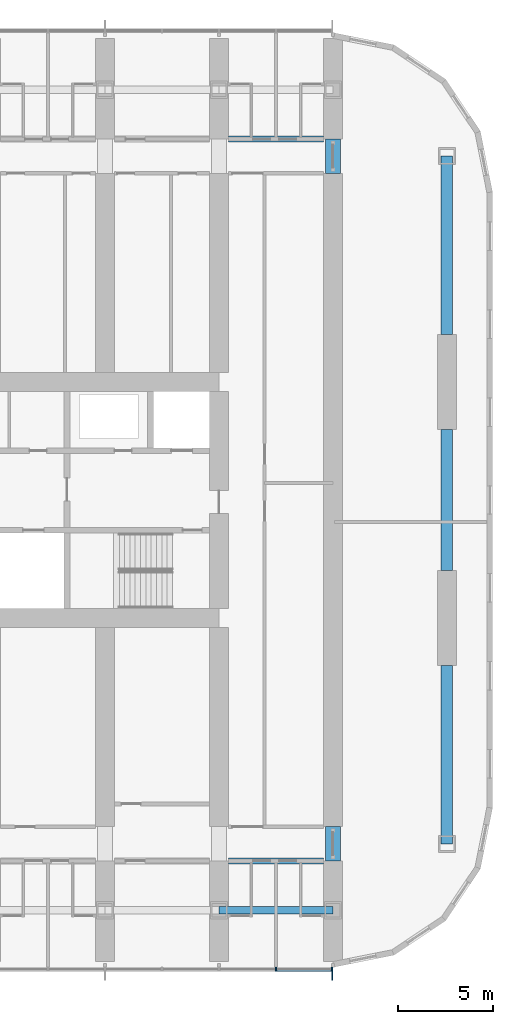
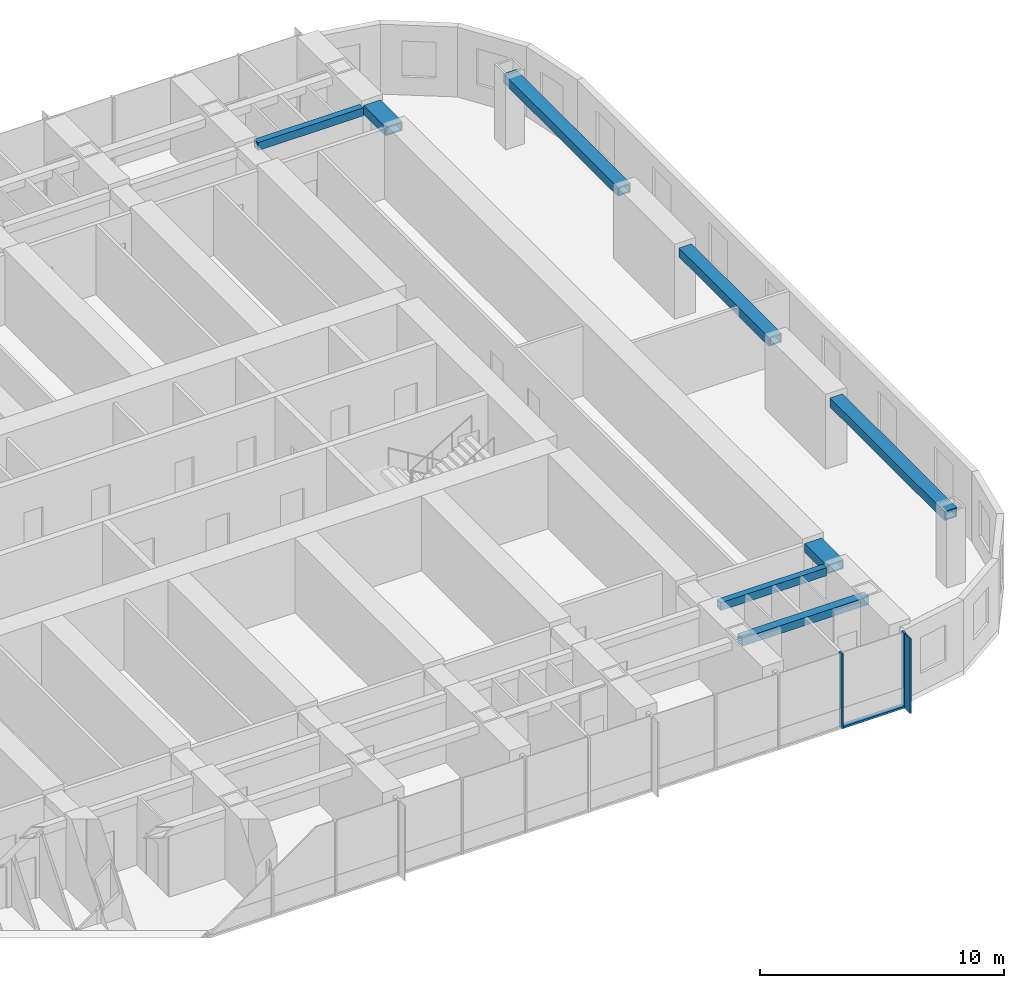
# One storey, part 6 of 23: 8 beams, 4 members, 1 element without a shape of its own.
"""IFC4 building model written with IfcOpenShell, lengths in metres."""

import ifcopenshell
import ifcopenshell.guid

model = None  # the IFC model being written
_history = None  # IfcOwnerHistory: only IFC2X3 demands one
_inside = {}  # id of a spatial element -> (the spatial element, [elements in it])
_under = {}  # id of a project, library or spatial element -> (it, [spatial elements below it])
_declared = {}  # id of a project -> (the project, [libraries it declares])
_typed = {}  # id of a type object -> (the type object, [elements of that type])
_made_of = {}  # id of a material, layer set ... -> (it, [elements and type objects made of it])


def new_model(schema):
    """Start an empty IFC model of exactly this schema.

    Asked for "IFC4X3", IfcOpenShell would pick the latest addendum, in which some entities
    have other attributes; the version numbers below select the first issue.
    IFC2X3 requires an IfcOwnerHistory on every rooted entity: one is made here for all.
    """
    global model, _history
    if schema == "IFC4X3":
        model = ifcopenshell.file(schema_version=(4, 3, 0, 0))
    else:
        model = ifcopenshell.file(schema=schema)
    _inside.clear()
    _under.clear()
    _declared.clear()
    _typed.clear()
    _made_of.clear()
    _history = None
    if model.schema == "IFC2X3":
        org = make("IfcOrganization", Name="unknown")
        user = make(
            "IfcPersonAndOrganization",
            ThePerson=make("IfcPerson", FamilyName="unknown"),
            TheOrganization=org,
        )
        app = make(
            "IfcApplication",
            ApplicationDeveloper=org,
            Version="unknown",
            ApplicationFullName="unknown",
            ApplicationIdentifier="unknown",
        )
        _history = make(
            "IfcOwnerHistory",
            OwningUser=user,
            OwningApplication=app,
            ChangeAction="ADDED",
            CreationDate=0,
        )
    return model


def make(cls, **values):
    """One entity of the class cls with the attributes given. An attribute that is None is left unset."""
    return model.create_entity(
        cls, **{name: value for name, value in values.items() if value is not None}
    )


def rooted(cls, **values):
    """An entity with a GlobalId (a new one), such as an element, a storey or a relation."""
    return make(cls, GlobalId=ifcopenshell.guid.new(), OwnerHistory=_history, **values)


def si_unit(unit_type, name, prefix=None):
    """IfcSIUnit, for example si_unit("LENGTHUNIT", "METRE", prefix="MILLI")."""
    return make("IfcSIUnit", UnitType=unit_type, Prefix=prefix, Name=name)


def assignment(units):
    """IfcUnitAssignment: the units of a project."""
    return None if units is None else make("IfcUnitAssignment", Units=units)


def point(xyz):
    """IfcCartesianPoint."""
    return None if xyz is None else make("IfcCartesianPoint", Coordinates=xyz)


def direction(xyz):
    """IfcDirection."""
    return None if xyz is None else make("IfcDirection", DirectionRatios=xyz)


def frame(location, z_axis=None, x_axis=None):
    """IfcAxis2Placement3D, a coordinate frame: its origin and axes. An axis left out is left unset."""
    return make(
        "IfcAxis2Placement3D",
        Location=point(location),
        Axis=direction(z_axis),
        RefDirection=direction(x_axis),
    )


def frame_2d(location, x_axis=None):
    """IfcAxis2Placement2D, a coordinate frame in the plane: its origin and x axis."""
    return make(
        "IfcAxis2Placement2D", Location=point(location), RefDirection=direction(x_axis)
    )


def origin():
    """The frame at (0, 0, 0) with its axes left unset."""
    return frame((0.0, 0.0, 0.0))


def origin_2d():
    """The frame at (0, 0) in the plane with its x axis left unset."""
    return frame_2d((0.0, 0.0))


def place(relative_to, where):
    """IfcLocalPlacement: puts the frame where relative to a parent placement (None: the world)."""
    return make(
        "IfcLocalPlacement", PlacementRelTo=relative_to, RelativePlacement=where
    )


def context(
    kind, dimensions, precision=None, world=None, true_north=None, identifier=None
):
    """IfcGeometricRepresentationContext, for example the 3D "Model" context."""
    return make(
        "IfcGeometricRepresentationContext",
        ContextIdentifier=identifier,
        ContextType=kind,
        CoordinateSpaceDimension=dimensions,
        Precision=precision,
        WorldCoordinateSystem=world,
        TrueNorth=true_north,
    )


def subcontext(parent, identifier, kind, view, scale=None):
    """IfcGeometricRepresentationSubContext, for example "Body" below "Model"."""
    return make(
        "IfcGeometricRepresentationSubContext",
        ContextIdentifier=identifier,
        ContextType=kind,
        ParentContext=parent,
        TargetScale=scale,
        TargetView=view,
    )


def project(units=None, contexts=None):
    """IfcProject with its units and contexts."""
    return rooted(
        "IfcProject",
        Name="project",
        RepresentationContexts=contexts,
        UnitsInContext=assignment(units),
    )


def spatial(cls, under=None, at=None, **own):
    """A site, building, storey or space (cls), placed at a placement, below another one or the project."""
    s = rooted(cls, ObjectPlacement=at, **own)
    if under is not None:
        _under.setdefault(under.id(), (under, []))[1].append(s)
    return s


def profile(cls, at=None, kind="AREA", **sizes):
    """A parametric profile (cls). Its sizes go by their IFC names, for example OverallWidth=200.0."""
    return make(cls, ProfileType=kind, Position=at, **sizes)


def rectangle(**sizes):
    """IfcRectangleProfileDef."""
    return profile("IfcRectangleProfileDef", **sizes)


def hollow_rectangle(**sizes):
    """IfcRectangleHollowProfileDef."""
    return profile("IfcRectangleHollowProfileDef", **sizes)


def extrude(swept, where, along, depth):
    """IfcExtrudedAreaSolid: the profile swept, set in the frame where, extruded along a direction by depth."""
    return make(
        "IfcExtrudedAreaSolid",
        SweptArea=swept,
        Position=where,
        ExtrudedDirection=direction(along),
        Depth=depth,
    )


def shape(context_of_items, identifier, shape_type, items):
    """IfcShapeRepresentation: the items that make up one representation, for example the "Body"."""
    return make(
        "IfcShapeRepresentation",
        ContextOfItems=context_of_items,
        RepresentationIdentifier=identifier,
        RepresentationType=shape_type,
        Items=items,
    )


def material(Name=None, Category=None):
    """IfcMaterial."""
    return make("IfcMaterial", Name=Name, Category=Category)


def material_profile(
    of_material, cross_section, Name=None, Category=None, Priority=None
):
    """IfcMaterialProfile: a cross section and its material."""
    return make(
        "IfcMaterialProfile",
        Name=Name,
        Material=of_material,
        Profile=cross_section,
        Priority=Priority,
        Category=Category,
    )


def profile_set(profiles, Name=None, composite=None):
    """IfcMaterialProfileSet."""
    return make(
        "IfcMaterialProfileSet",
        Name=Name,
        MaterialProfiles=profiles,
        CompositeProfile=composite,
    )


def made_of(thing, what):
    """Note that an element or type object is made of a material, layer set ...; save() writes the relation."""
    if what is not None:
        _made_of.setdefault(what.id(), (what, []))[1].append(thing)
    return thing


def type_object(cls, material=None, **own):
    """A type object (cls), such as IfcWallType, which elements share."""
    return made_of(rooted(cls, **own), material)


def element(
    cls,
    number,
    at=None,
    inside=None,
    cuts=None,
    type_object=None,
    material=None,
    context=None,
    identifier="Body",
    shape_type=None,
    held_by="IfcProductDefinitionShape",
    body=None,
    shapes=None,
    **own,
):
    """One element of the class cls, such as IfcWall. Its Tag is "e" and its number.

    at: its placement. inside: the storey or other place that contains it. cuts: it is an
    opening in that element (IfcRelVoidsElement). A single representation is given by context,
    identifier, shape_type and body (its items); several are given by shapes. held_by: the class
    of the entity that holds the representations. save() writes the other relations.
    """
    e = rooted(cls, Tag="e%d" % number, ObjectPlacement=at, **own)
    if body is not None:
        shapes = [shape(context, identifier, shape_type, body)]
    if shapes is not None:
        e.Representation = make(held_by, Representations=shapes)
    if inside is not None:
        _inside.setdefault(inside.id(), (inside, []))[1].append(e)
    if cuts is not None:
        rooted(
            "IfcRelVoidsElement", RelatingBuildingElement=cuts, RelatedOpeningElement=e
        )
    if type_object is not None:
        _typed.setdefault(type_object.id(), (type_object, []))[1].append(e)
    return made_of(e, material)


def aggregate(whole, parts):
    """IfcRelAggregates: a whole, such as a stair, and the parts it consists of."""
    return rooted("IfcRelAggregates", RelatingObject=whole, RelatedObjects=parts)


def save(model, path):
    """Write the relations noted so far, then the file.

    IfcRelAggregates (storeys below a building ...), IfcRelContainedInSpatialStructure (elements
    in a storey), IfcRelDefinesByType, IfcRelAssociatesMaterial and IfcRelDeclares: one each for
    every whole, place, type object, material and project.
    """
    for whole, parts in _under.values():
        aggregate(whole, parts)
    for where, things in _inside.values():
        rooted(
            "IfcRelContainedInSpatialStructure",
            RelatedElements=things,
            RelatingStructure=where,
        )
    for kind, things in _typed.values():
        rooted("IfcRelDefinesByType", RelatedObjects=things, RelatingType=kind)
    for what, things in _made_of.values():
        rooted("IfcRelAssociatesMaterial", RelatedObjects=things, RelatingMaterial=what)
    for by, libraries in _declared.values():
        rooted("IfcRelDeclares", RelatingContext=by, RelatedDefinitions=libraries)
    model.write(path)


model = new_model("IFC4")

# Units and contexts
model_context = context("Model", 3, precision=1e-05, world=origin(), true_north=direction((0.0, 1.0)))
body_context = subcontext(model_context, "Body", "Model", "MODEL_VIEW")
ifc_project = project(units=[si_unit("LENGTHUNIT", "METRE"), si_unit("AREAUNIT", "SQUARE_METRE"), si_unit("VOLUMEUNIT", "CUBIC_METRE"), si_unit("PLANEANGLEUNIT", "RADIAN"), si_unit("MASSUNIT", "GRAM", prefix="KILO")], contexts=[model_context])

# Site, building, storey
site_placement = place(None, origin())
site = spatial("IfcSite", under=ifc_project, at=site_placement, CompositionType="ELEMENT")
building_placement = place(site_placement, origin())
building = spatial("IfcBuilding", under=site, at=building_placement, Name="Orbita Commons", CompositionType="ELEMENT")
storey_placement = place(building_placement, frame((0.0, 0.0, 42.699951171875)))
storey = spatial("IfcBuildingStorey", under=building, at=storey_placement, Name="L10", CompositionType="ELEMENT", Elevation=42.699951171875)

# Curtain wall, members
ifc_material_1 = material(Name="Anodised aluminium frame, pale silver", Category="aluminium")
curtain_wall_type = type_object("IfcCurtainWallType", Name="Unitised curtain wall CW-T, vision and spandrel", PredefinedType="NOTDEFINED", material=ifc_material_1)
curtain_wall_placement = place(storey_placement, origin())
curtain_wall = element("IfcCurtainWall", 1, at=curtain_wall_placement, inside=storey, type_object=curtain_wall_type, Name="Curtain wall south L10", PredefinedType="NOTDEFINED")
ifc_material_2 = material(Name="Anodised aluminium, pale silver", Category="aluminium")
ifc_material_profile_1 = material_profile(ifc_material_2, rectangle(XDim=0.080078125, YDim=0.219970703125, at=origin_2d()), Name="AL 80x220")
ifc_profile_set_1 = profile_set([ifc_material_profile_1], Name="Anodised aluminium, pale silver")
member_type_1 = type_object("IfcMemberType", Name="Curtain wall mullion 80x220", PredefinedType="MULLION", material=ifc_profile_set_1)
member_1_placement = place(storey_placement, frame((69.0, 7.2900390625, -0.25), z_axis=(0.0, 0.0, 1.0), x_axis=(1.0, 0.0, 0.0)))
member_1 = element("IfcMember", 2, at=member_1_placement, type_object=member_type_1, Name="Mullion 20 CW-L10-S", PredefinedType="MULLION", context=body_context, shape_type="SweptSolid", body=[
    extrude(rectangle(XDim=0.080078125, YDim=0.219970703125, at=origin_2d()), origin(), (0.0, 0.0, 1.0), 3.75),
])
member_2_placement = place(storey_placement, frame((71.9599609375, 7.2900390625, -0.25), z_axis=(0.0, 0.0, 1.0), x_axis=(1.0, 0.0, 0.0)))
member_2 = element("IfcMember", 3, at=member_2_placement, type_object=member_type_1, Name="Mullion 21 CW-L10-S", PredefinedType="MULLION", context=body_context, shape_type="SweptSolid", body=[
    extrude(rectangle(XDim=0.080078125, YDim=0.219970703125, at=origin_2d()), origin(), (0.0, 0.0, 1.0), 3.75),
])
ifc_material_3 = material(Name="Anodised aluminium, pale silver", Category="aluminium")
ifc_material_profile_2 = material_profile(ifc_material_3, rectangle(XDim=0.219970703125, YDim=0.10009765625, at=origin_2d()), Name="AL 220x100")
ifc_profile_set_2 = profile_set([ifc_material_profile_2], Name="Anodised aluminium, pale silver")
member_type_2 = type_object("IfcMemberType", Name="Curtain wall stack transom 220x100", PredefinedType="USERDEFINED", material=ifc_profile_set_2)
member_3_placement = place(storey_placement, frame((69.0400390625, 7.2900390625, -0.199951171875), z_axis=(1.0, 0.0, 0.0), x_axis=(0.0, 1.0, 0.0)))
member_3 = element("IfcMember", 4, at=member_3_placement, type_object=member_type_2, Name="Transom 20.1 CW-L10-S", ObjectType="TRANSOM", PredefinedType="USERDEFINED", context=body_context, shape_type="SweptSolid", body=[
    extrude(rectangle(XDim=0.219970703125, YDim=0.10009765625, at=origin_2d()), origin(), (0.0, 0.0, 1.0), 2.8798828125),
])

# Beams
ifc_material_4 = material(Name="Steel ASTM A572 Gr 50 welded plate", Category="steel")
ifc_material_profile_3 = material_profile(ifc_material_4, hollow_rectangle(XDim=0.300048828125, YDim=0.39990234375, WallThickness=0.0400390625, at=origin_2d()), Name="BOX 400x300x40")
ifc_profile_set_3 = profile_set([ifc_material_profile_3], Name="Steel ASTM A572 Gr 50 welded plate")
beam_type_1 = type_object("IfcBeamType", Name="Steel corridor link BOX 400x300x40", PredefinedType="BEAM", material=ifc_profile_set_3)
for number, where, z_axis, x_axis, name in (
    (5, (66.5, 13.0, 3.300048828125), (1.0, 0.0, 0.0), (0.0, 1.0, 0.0), "Corridor beam SA 12-13 L10"),
    (6, (66.5, 51.0, 3.300048828125), (1.0, 0.0, 0.0), (0.0, 1.0, 0.0), "Corridor beam NB 12-13 L10"),
):
    element("IfcBeam", number, at=place(storey_placement, frame(where, z_axis=z_axis, x_axis=x_axis)), inside=storey, type_object=beam_type_1, Name=name, PredefinedType="BEAM", context=body_context, shape_type="SweptSolid", body=[
        extrude(hollow_rectangle(XDim=0.300048828125, YDim=0.39990234375, WallThickness=0.0400390625, at=origin_2d()), origin(), (0.0, 0.0, 1.0), 5.0),
    ])
ifc_material_5 = material(Name="Steel ASTM A572 Gr 50 welded plate", Category="steel")
ifc_material_profile_4 = material_profile(ifc_material_5, hollow_rectangle(XDim=0.800048828125, YDim=0.449951171875, WallThickness=0.06005859375, at=origin_2d()), Name="BOX 450x800x60")
ifc_profile_set_4 = profile_set([ifc_material_profile_4], Name="Steel ASTM A572 Gr 50 welded plate")
beam_type_2 = type_object("IfcBeamType", Name="Steel coupling link BOX 450x800x60", PredefinedType="LINTEL", material=ifc_profile_set_4)
for number, where, z_axis, x_axis, name in (
    (7, (72.0, 13.0, 3.275146484375), (0.0, 1.0, 0.0), (-1.0, 0.0, 0.0), "Coupling beam 13 south L10"),
    (8, (72.0, 49.199951171875, 3.275146484375), (0.0, 1.0, 0.0), (-1.0, 0.0, 0.0), "Coupling beam 13 north L10"),
):
    element("IfcBeam", number, at=place(storey_placement, frame(where, z_axis=z_axis, x_axis=x_axis)), inside=storey, type_object=beam_type_2, Name=name, PredefinedType="LINTEL", context=body_context, shape_type="SweptSolid", body=[
        extrude(hollow_rectangle(XDim=0.800048828125, YDim=0.449951171875, WallThickness=0.06005859375, at=origin_2d()), origin(), (0.0, 0.0, 1.0), 1.800048828125),
    ])
ifc_material_6 = material(Name="Steel ASTM A572 Gr 50 welded plate", Category="steel")
ifc_material_profile_5 = material_profile(ifc_material_6, hollow_rectangle(XDim=0.60009765625, YDim=0.449951171875, WallThickness=0.06005859375, at=origin_2d()), Name="BOX 450x600x60")
ifc_profile_set_5 = profile_set([ifc_material_profile_5], Name="Steel ASTM A572 Gr 50 welded plate")
beam_type_3 = type_object("IfcBeamType", Name="Steel end frame link BOX 450x600x60", PredefinedType="BEAM", material=ifc_profile_set_5)
beam_1_placement = place(storey_placement, frame((78.0, 13.89990234375, 3.275146484375), z_axis=(0.0, 1.0, 0.0), x_axis=(-1.0, 0.0, 0.0)))
element("IfcBeam", 9, at=beam_1_placement, inside=storey, type_object=beam_type_3, Name="End frame beam 14 B-C L10", PredefinedType="BEAM", context=body_context, shape_type="SweptSolid", body=[
    extrude(hollow_rectangle(XDim=0.60009765625, YDim=0.449951171875, WallThickness=0.06005859375, at=origin_2d()), origin(), (0.0, 0.0, 1.0), 9.400146484375),
])
beam_2_placement = place(storey_placement, frame((78.0, 28.300048828125, 3.275146484375), z_axis=(0.0, 1.0, 0.0), x_axis=(-1.0, 0.0, 0.0)))
element("IfcBeam", 10, at=beam_2_placement, inside=storey, type_object=beam_type_3, Name="End frame beam 14 C-D L10", PredefinedType="BEAM", context=body_context, shape_type="SweptSolid", body=[
    extrude(hollow_rectangle(XDim=0.60009765625, YDim=0.449951171875, WallThickness=0.06005859375, at=origin_2d()), origin(), (0.0, 0.0, 1.0), 7.39990234375),
])
beam_3_placement = place(storey_placement, frame((78.0, 40.699951171875, 3.275146484375), z_axis=(0.0, 1.0, 0.0), x_axis=(-1.0, 0.0, 0.0)))
element("IfcBeam", 11, at=beam_3_placement, inside=storey, type_object=beam_type_3, Name="End frame beam 14 D-E L10", PredefinedType="BEAM", context=body_context, shape_type="SweptSolid", body=[
    extrude(hollow_rectangle(XDim=0.60009765625, YDim=0.449951171875, WallThickness=0.06005859375, at=origin_2d()), origin(), (0.0, 0.0, 1.0), 9.400146484375),
])
ifc_material_7 = material(Name="Steel ASTM A572 Gr 50 welded plate", Category="steel")
ifc_material_profile_6 = material_profile(ifc_material_7, hollow_rectangle(XDim=0.39990234375, YDim=0.39990234375, WallThickness=0.0400390625, at=origin_2d()), Name="BOX 400x400x40")
ifc_profile_set_6 = profile_set([ifc_material_profile_6], Name="Steel ASTM A572 Gr 50 welded plate")
beam_type_4 = type_object("IfcBeamType", Name="Steel spandrel BOX 400x400x40", PredefinedType="SPANDREL", material=ifc_profile_set_6)
beam_4_placement = place(storey_placement, frame((66.0, 10.39990234375, 3.300048828125), z_axis=(1.0, 0.0, 0.0), x_axis=(0.0, 1.0, 0.0)))
element("IfcBeam", 12, at=beam_4_placement, inside=storey, type_object=beam_type_4, Name="Spandrel beam B 12-13 L10", PredefinedType="SPANDREL", context=body_context, shape_type="SweptSolid", body=[
    extrude(hollow_rectangle(XDim=0.39990234375, YDim=0.39990234375, WallThickness=0.0400390625, at=origin_2d()), origin(), (0.0, 0.0, 1.0), 6.0),
])

# Member
ifc_material_8 = material(Name="Anodised aluminium, pale silver", Category="aluminium")
ifc_material_profile_7 = material_profile(ifc_material_8, rectangle(XDim=0.06005859375, YDim=0.449951171875, at=origin_2d()), Name="FIN 60x450")
ifc_profile_set_7 = profile_set([ifc_material_profile_7], Name="Anodised aluminium, pale silver")
member_type_3 = type_object("IfcMemberType", Name="Vertical fin 60x450 pale aluminium", PredefinedType="USERDEFINED", material=ifc_profile_set_7)
member_4_placement = place(storey_placement, frame((71.9599609375, 6.955078125, -0.25), z_axis=(0.0, 0.0, 1.0), x_axis=(1.0, 0.0, 0.0)))
member_4 = element("IfcMember", 13, at=member_4_placement, type_object=member_type_3, Name="Fin 21 CW-L10-S", ObjectType="FIN", PredefinedType="USERDEFINED", context=body_context, shape_type="SweptSolid", body=[
    extrude(rectangle(XDim=0.06005859375, YDim=0.449951171875, at=origin_2d()), origin(), (0.0, 0.0, 1.0), 3.75),
])

aggregate(curtain_wall, [member_1, member_2, member_4, member_3])

save(model, "model.ifc")
